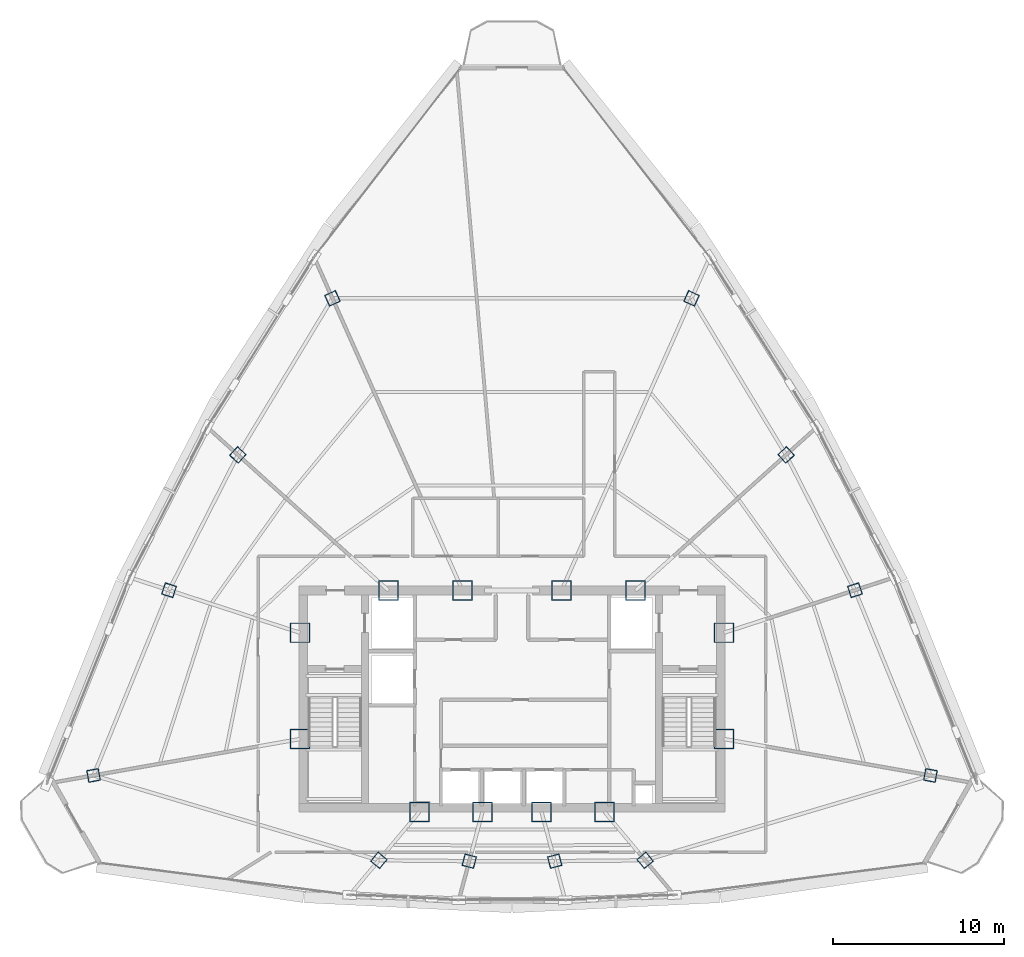
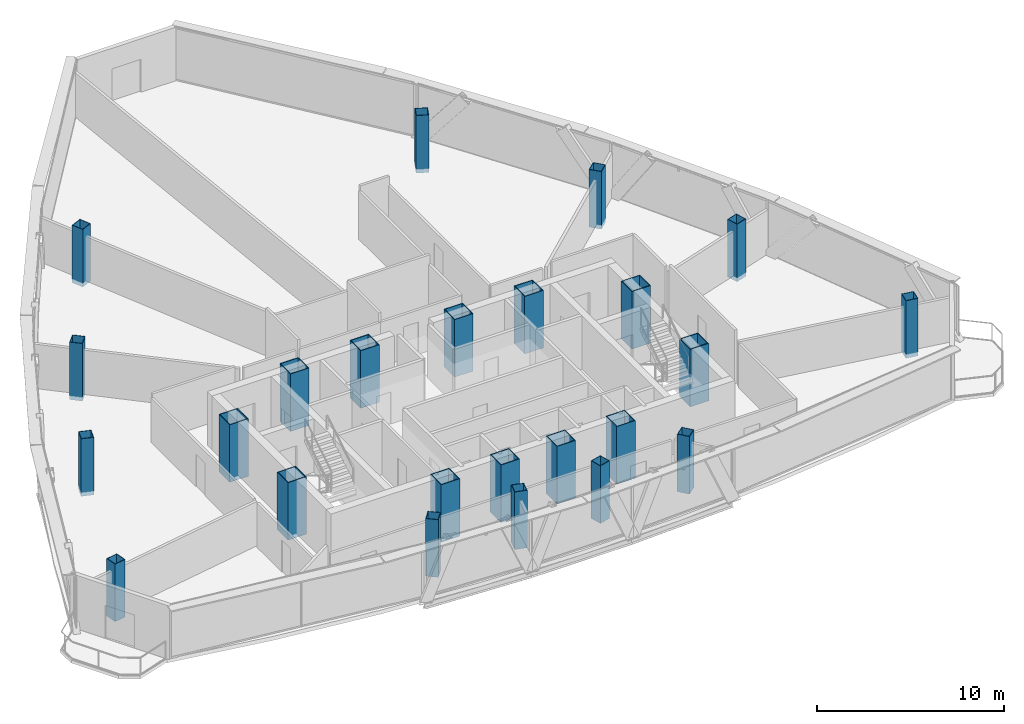
# One storey, part 1 of 30: 24 columns.
"""IFC4 building model written with IfcOpenShell, lengths in metres."""

import ifcopenshell
import ifcopenshell.guid

model = None  # the IFC model being written
_history = None  # IfcOwnerHistory: only IFC2X3 demands one
_inside = {}  # id of a spatial element -> (the spatial element, [elements in it])
_under = {}  # id of a project, library or spatial element -> (it, [spatial elements below it])
_declared = {}  # id of a project -> (the project, [libraries it declares])
_typed = {}  # id of a type object -> (the type object, [elements of that type])
_made_of = {}  # id of a material, layer set ... -> (it, [elements and type objects made of it])


def new_model(schema):
    """Start an empty IFC model of exactly this schema.

    Asked for "IFC4X3", IfcOpenShell would pick the latest addendum, in which some entities
    have other attributes; the version numbers below select the first issue.
    IFC2X3 requires an IfcOwnerHistory on every rooted entity: one is made here for all.
    """
    global model, _history
    if schema == "IFC4X3":
        model = ifcopenshell.file(schema_version=(4, 3, 0, 0))
    else:
        model = ifcopenshell.file(schema=schema)
    _inside.clear()
    _under.clear()
    _declared.clear()
    _typed.clear()
    _made_of.clear()
    _history = None
    if model.schema == "IFC2X3":
        org = make("IfcOrganization", Name="unknown")
        user = make(
            "IfcPersonAndOrganization",
            ThePerson=make("IfcPerson", FamilyName="unknown"),
            TheOrganization=org,
        )
        app = make(
            "IfcApplication",
            ApplicationDeveloper=org,
            Version="unknown",
            ApplicationFullName="unknown",
            ApplicationIdentifier="unknown",
        )
        _history = make(
            "IfcOwnerHistory",
            OwningUser=user,
            OwningApplication=app,
            ChangeAction="ADDED",
            CreationDate=0,
        )
    return model


def make(cls, **values):
    """One entity of the class cls with the attributes given. An attribute that is None is left unset."""
    return model.create_entity(
        cls, **{name: value for name, value in values.items() if value is not None}
    )


def rooted(cls, **values):
    """An entity with a GlobalId (a new one), such as an element, a storey or a relation."""
    return make(cls, GlobalId=ifcopenshell.guid.new(), OwnerHistory=_history, **values)


def si_unit(unit_type, name, prefix=None):
    """IfcSIUnit, for example si_unit("LENGTHUNIT", "METRE", prefix="MILLI")."""
    return make("IfcSIUnit", UnitType=unit_type, Prefix=prefix, Name=name)


def assignment(units):
    """IfcUnitAssignment: the units of a project."""
    return None if units is None else make("IfcUnitAssignment", Units=units)


def point(xyz):
    """IfcCartesianPoint."""
    return None if xyz is None else make("IfcCartesianPoint", Coordinates=xyz)


def direction(xyz):
    """IfcDirection."""
    return None if xyz is None else make("IfcDirection", DirectionRatios=xyz)


def frame(location, z_axis=None, x_axis=None):
    """IfcAxis2Placement3D, a coordinate frame: its origin and axes. An axis left out is left unset."""
    return make(
        "IfcAxis2Placement3D",
        Location=point(location),
        Axis=direction(z_axis),
        RefDirection=direction(x_axis),
    )


def frame_2d(location, x_axis=None):
    """IfcAxis2Placement2D, a coordinate frame in the plane: its origin and x axis."""
    return make(
        "IfcAxis2Placement2D", Location=point(location), RefDirection=direction(x_axis)
    )


def origin():
    """The frame at (0, 0, 0) with its axes left unset."""
    return frame((0.0, 0.0, 0.0))


def origin_2d():
    """The frame at (0, 0) in the plane with its x axis left unset."""
    return frame_2d((0.0, 0.0))


def place(relative_to, where):
    """IfcLocalPlacement: puts the frame where relative to a parent placement (None: the world)."""
    return make(
        "IfcLocalPlacement", PlacementRelTo=relative_to, RelativePlacement=where
    )


def context(
    kind, dimensions, precision=None, world=None, true_north=None, identifier=None
):
    """IfcGeometricRepresentationContext, for example the 3D "Model" context."""
    return make(
        "IfcGeometricRepresentationContext",
        ContextIdentifier=identifier,
        ContextType=kind,
        CoordinateSpaceDimension=dimensions,
        Precision=precision,
        WorldCoordinateSystem=world,
        TrueNorth=true_north,
    )


def subcontext(parent, identifier, kind, view, scale=None):
    """IfcGeometricRepresentationSubContext, for example "Body" below "Model"."""
    return make(
        "IfcGeometricRepresentationSubContext",
        ContextIdentifier=identifier,
        ContextType=kind,
        ParentContext=parent,
        TargetScale=scale,
        TargetView=view,
    )


def project(units=None, contexts=None):
    """IfcProject with its units and contexts."""
    return rooted(
        "IfcProject",
        Name="project",
        RepresentationContexts=contexts,
        UnitsInContext=assignment(units),
    )


def spatial(cls, under=None, at=None, **own):
    """A site, building, storey or space (cls), placed at a placement, below another one or the project."""
    s = rooted(cls, ObjectPlacement=at, **own)
    if under is not None:
        _under.setdefault(under.id(), (under, []))[1].append(s)
    return s


def profile(cls, at=None, kind="AREA", **sizes):
    """A parametric profile (cls). Its sizes go by their IFC names, for example OverallWidth=200.0."""
    return make(cls, ProfileType=kind, Position=at, **sizes)


def hollow_rectangle(**sizes):
    """IfcRectangleHollowProfileDef."""
    return profile("IfcRectangleHollowProfileDef", **sizes)


def extrude(swept, where, along, depth):
    """IfcExtrudedAreaSolid: the profile swept, set in the frame where, extruded along a direction by depth."""
    return make(
        "IfcExtrudedAreaSolid",
        SweptArea=swept,
        Position=where,
        ExtrudedDirection=direction(along),
        Depth=depth,
    )


def shape(context_of_items, identifier, shape_type, items):
    """IfcShapeRepresentation: the items that make up one representation, for example the "Body"."""
    return make(
        "IfcShapeRepresentation",
        ContextOfItems=context_of_items,
        RepresentationIdentifier=identifier,
        RepresentationType=shape_type,
        Items=items,
    )


def source(mapping_origin, context_of_items, identifier, shape_type, items):
    """IfcRepresentationMap: a shape defined once, which mapped items show again and again."""
    return make(
        "IfcRepresentationMap",
        MappingOrigin=mapping_origin,
        MappedRepresentation=shape(context_of_items, identifier, shape_type, items),
    )


def transform(
    local_origin,
    x_axis=None,
    y_axis=None,
    z_axis=None,
    scale=None,
    scale2=None,
    scale3=None,
    uniform=True,
):
    """IfcCartesianTransformationOperator3D, or its non-uniform kind. x_axis, y_axis, z_axis: its Axis1, 2, 3."""
    if uniform:
        return make(
            "IfcCartesianTransformationOperator3D",
            Axis1=direction(x_axis),
            Axis2=direction(y_axis),
            LocalOrigin=point(local_origin),
            Scale=scale,
            Axis3=direction(z_axis),
        )
    return make(
        "IfcCartesianTransformationOperator3DnonUniform",
        Axis1=direction(x_axis),
        Axis2=direction(y_axis),
        LocalOrigin=point(local_origin),
        Scale=scale,
        Axis3=direction(z_axis),
        Scale2=scale2,
        Scale3=scale3,
    )


def mapped(mapping_source, mapping_target):
    """IfcMappedItem: shows the shape of a source again, moved by a transform."""
    return make(
        "IfcMappedItem", MappingSource=mapping_source, MappingTarget=mapping_target
    )


def material(Name=None, Category=None):
    """IfcMaterial."""
    return make("IfcMaterial", Name=Name, Category=Category)


def material_profile(
    of_material, cross_section, Name=None, Category=None, Priority=None
):
    """IfcMaterialProfile: a cross section and its material."""
    return make(
        "IfcMaterialProfile",
        Name=Name,
        Material=of_material,
        Profile=cross_section,
        Priority=Priority,
        Category=Category,
    )


def profile_set(profiles, Name=None, composite=None):
    """IfcMaterialProfileSet."""
    return make(
        "IfcMaterialProfileSet",
        Name=Name,
        MaterialProfiles=profiles,
        CompositeProfile=composite,
    )


def made_of(thing, what):
    """Note that an element or type object is made of a material, layer set ...; save() writes the relation."""
    if what is not None:
        _made_of.setdefault(what.id(), (what, []))[1].append(thing)
    return thing


def type_object(cls, material=None, **own):
    """A type object (cls), such as IfcWallType, which elements share."""
    return made_of(rooted(cls, **own), material)


def element(
    cls,
    number,
    at=None,
    inside=None,
    cuts=None,
    type_object=None,
    material=None,
    context=None,
    identifier="Body",
    shape_type=None,
    held_by="IfcProductDefinitionShape",
    body=None,
    shapes=None,
    **own,
):
    """One element of the class cls, such as IfcWall. Its Tag is "e" and its number.

    at: its placement. inside: the storey or other place that contains it. cuts: it is an
    opening in that element (IfcRelVoidsElement). A single representation is given by context,
    identifier, shape_type and body (its items); several are given by shapes. held_by: the class
    of the entity that holds the representations. save() writes the other relations.
    """
    e = rooted(cls, Tag="e%d" % number, ObjectPlacement=at, **own)
    if body is not None:
        shapes = [shape(context, identifier, shape_type, body)]
    if shapes is not None:
        e.Representation = make(held_by, Representations=shapes)
    if inside is not None:
        _inside.setdefault(inside.id(), (inside, []))[1].append(e)
    if cuts is not None:
        rooted(
            "IfcRelVoidsElement", RelatingBuildingElement=cuts, RelatedOpeningElement=e
        )
    if type_object is not None:
        _typed.setdefault(type_object.id(), (type_object, []))[1].append(e)
    return made_of(e, material)


def aggregate(whole, parts):
    """IfcRelAggregates: a whole, such as a stair, and the parts it consists of."""
    return rooted("IfcRelAggregates", RelatingObject=whole, RelatedObjects=parts)


def save(model, path):
    """Write the relations noted so far, then the file.

    IfcRelAggregates (storeys below a building ...), IfcRelContainedInSpatialStructure (elements
    in a storey), IfcRelDefinesByType, IfcRelAssociatesMaterial and IfcRelDeclares: one each for
    every whole, place, type object, material and project.
    """
    for whole, parts in _under.values():
        aggregate(whole, parts)
    for where, things in _inside.values():
        rooted(
            "IfcRelContainedInSpatialStructure",
            RelatedElements=things,
            RelatingStructure=where,
        )
    for kind, things in _typed.values():
        rooted("IfcRelDefinesByType", RelatedObjects=things, RelatingType=kind)
    for what, things in _made_of.values():
        rooted("IfcRelAssociatesMaterial", RelatedObjects=things, RelatingMaterial=what)
    for by, libraries in _declared.values():
        rooted("IfcRelDeclares", RelatingContext=by, RelatedDefinitions=libraries)
    model.write(path)


model = new_model("IFC4")

# Units and contexts
model_context = context("Model", 3, precision=1e-05, world=origin(), true_north=direction((0.0, 1.0)))
body_context = subcontext(model_context, "Body", "Model", "MODEL_VIEW")
ifc_project = project(units=[si_unit("LENGTHUNIT", "METRE"), si_unit("AREAUNIT", "SQUARE_METRE"), si_unit("VOLUMEUNIT", "CUBIC_METRE"), si_unit("PLANEANGLEUNIT", "RADIAN"), si_unit("MASSUNIT", "GRAM", prefix="KILO"), si_unit("THERMODYNAMICTEMPERATUREUNIT", "KELVIN"), si_unit("POWERUNIT", "WATT")], contexts=[model_context])

# Site, building, storey
site_placement = place(None, origin())
site = spatial("IfcSite", under=ifc_project, at=site_placement, CompositionType="ELEMENT")
building_placement = place(site_placement, origin())
building = spatial("IfcBuilding", under=site, at=building_placement, Name="Yunzhuo Pagoda Commons", CompositionType="ELEMENT")
storey_placement = place(building_placement, frame((0.0, 0.0, 351.760009765625)))
storey = spatial("IfcBuildingStorey", under=building, at=storey_placement, Name="L88", CompositionType="ELEMENT", Elevation=351.760009765625)

# Columns
ifc_material_1 = material(Name="Structural steel Q420B", Category="steel")
ifc_material_profile_1 = material_profile(ifc_material_1, hollow_rectangle(XDim=1.14990234375, YDim=1.14990234375, WallThickness=0.048095703125, at=origin_2d()), Name="Structural steel Q420B")
ifc_profile_set_1 = profile_set([ifc_material_profile_1], Name="Structural steel Q420B")
column_type_1 = type_object("IfcColumnType", Name="C-COR Column BOX 1150x1150x48", PredefinedType="COLUMN", material=ifc_profile_set_1)
shared_shape_1 = source(origin(), body_context, "Body", "SweptSolid", [
    extrude(hollow_rectangle(XDim=1.14990234375, YDim=1.14990234375, WallThickness=0.048095703125, at=origin_2d()), origin(), (0.0, 0.0, 1.0), 3.75),
])
for number, where, z_axis, x_axis, name in (
    (1, (42.587890625, 27.25, -0.260009765625), (0.0, 0.0, 1.0), (1.0, 0.0, 0.0), "L88 core composite column F1C1"),
    (2, (46.27197265625, 27.25, -0.260009765625), (0.0, 0.0, 1.0), (1.0, 0.0, 0.0), "L88 core composite column F1C2"),
    (3, (49.728515625, 27.25, -0.260009765625), (0.0, 0.0, 1.0), (1.0, 0.0, 0.0), "L88 core composite column F1C3"),
    (4, (53.412109375, 27.25, -0.260009765625), (0.0, 0.0, 1.0), (1.0, 0.0, 0.0), "L88 core composite column F1C4"),
    (5, (60.39990234375, 31.513427734375, -0.260009765625), (0.0, 0.0, 1.0), (1.0, 0.0, 0.0), "L88 core composite column F2C1"),
    (6, (60.39990234375, 37.72900390625, -0.260009765625), (0.0, 0.0, 1.0), (1.0, 0.0, 0.0), "L88 core composite column F2C2"),
    (7, (55.218994140625, 40.199951171875, -0.260009765625), (0.0, 0.0, 1.0), (1.0, 0.0, 0.0), "L88 core composite column F2C3"),
    (8, (50.89404296875, 40.199951171875, -0.260009765625), (0.0, 0.0, 1.0), (1.0, 0.0, 0.0), "L88 core composite column F2C4"),
    (9, (45.10595703125, 40.199951171875, -0.260009765625), (0.0, 0.0, 1.0), (1.0, 0.0, 0.0), "L88 core composite column F3C1"),
    (10, (40.781005859375, 40.199951171875, -0.260009765625), (0.0, 0.0, 1.0), (1.0, 0.0, 0.0), "L88 core composite column F3C2"),
    (11, (35.60009765625, 37.72900390625, -0.260009765625), (0.0, 0.0, 1.0), (1.0, 0.0, 0.0), "L88 core composite column F3C3"),
    (12, (35.60009765625, 31.513427734375, -0.260009765625), (0.0, 0.0, 1.0), (1.0, 0.0, 0.0), "L88 core composite column F3C4"),
):
    element("IfcColumn", number, at=place(storey_placement, frame(where, z_axis=z_axis, x_axis=x_axis)), inside=storey, type_object=column_type_1, Name=name, PredefinedType="COLUMN", context=body_context, shape_type="MappedRepresentation", body=[
        mapped(shared_shape_1, transform((0.0, 0.0, 0.0), scale=1.0)),
    ])
ifc_material_2 = material(Name="Structural steel Q355B", Category="steel")
ifc_material_profile_2 = material_profile(ifc_material_2, hollow_rectangle(XDim=0.699951171875, YDim=0.699951171875, WallThickness=0.02587890625, at=origin_2d()), Name="Structural steel Q355B")
ifc_profile_set_2 = profile_set([ifc_material_profile_2], Name="Structural steel Q355B")
column_type_2 = type_object("IfcColumnType", Name="C-Z7 Column BOX 700x700x26", PredefinedType="COLUMN", material=ifc_profile_set_2)
shared_shape_2 = source(origin(), body_context, "Body", "SweptSolid", [
    extrude(hollow_rectangle(XDim=0.699951171875, YDim=0.699951171875, WallThickness=0.02587890625, at=origin_2d()), origin(), (0.0, 0.0, 1.0), 3.75),
])
for number, where, z_axis, x_axis, name in (
    (13, (40.214599609375, 24.421630859375, -0.260009765625), (0.0, 0.0, 1.0), (0.766044443119, -0.642787609687, 0.0), "L88 tower column F1C1"),
    (14, (45.500732421875, 24.372802734375, -0.260009765625), (0.0, 0.0, 1.0), (0.965925826289, -0.258819045103, 0.0), "L88 tower column F1C2"),
    (15, (50.499267578125, 24.372802734375, -0.260009765625), (0.0, 0.0, 1.0), (0.965925826289, 0.258819045103, 0.0), "L88 tower column F1C3"),
    (16, (55.785400390625, 24.421630859375, -0.260009765625), (0.0, 0.0, 1.0), (0.766044443119, 0.642787609687, 0.0), "L88 tower column F1C4"),
    (17, (72.47021484375, 29.38525390625, -0.260009765625), (0.0, 0.0, 1.0), (0.173648177667, 0.984807753012, 0.0), "L88 tower column F2C1"),
    (18, (68.053466796875, 40.2158203125, -0.260009765625), (0.0, 0.0, 1.0), (-0.309016994375, 0.951056516295, 0.0), "L88 tower column F2C2"),
    (19, (64.024658203125, 48.128662109375, -0.260009765625), (0.0, 0.0, 1.0), (-0.669130606359, 0.743144825477, 0.0), "L88 tower column F2C3"),
    (20, (58.498779296875, 57.281005859375, -0.260009765625), (0.0, 0.0, 1.0), (-0.913545457643, 0.406736643076, 0.0), "L88 tower column F2C4"),
    (21, (37.501220703125, 57.281005859375, -0.260009765625), (0.0, 0.0, 1.0), (-0.913545457643, -0.406736643076, 0.0), "L88 tower column F3C1"),
    (22, (31.975341796875, 48.128662109375, -0.260009765625), (0.0, 0.0, 1.0), (-0.669130606359, -0.743144825477, 0.0), "L88 tower column F3C2"),
    (23, (27.946533203125, 40.2158203125, -0.260009765625), (0.0, 0.0, 1.0), (-0.309016994375, -0.951056516295, 0.0), "L88 tower column F3C3"),
    (24, (23.52978515625, 29.38525390625, -0.260009765625), (0.0, 0.0, 1.0), (0.173648177667, -0.984807753012, 0.0), "L88 tower column F3C4"),
):
    element("IfcColumn", number, at=place(storey_placement, frame(where, z_axis=z_axis, x_axis=x_axis)), inside=storey, type_object=column_type_2, Name=name, PredefinedType="COLUMN", context=body_context, shape_type="MappedRepresentation", body=[
        mapped(shared_shape_2, transform((0.0, 0.0, 0.0), scale=1.0)),
    ])

save(model, "model.ifc")
